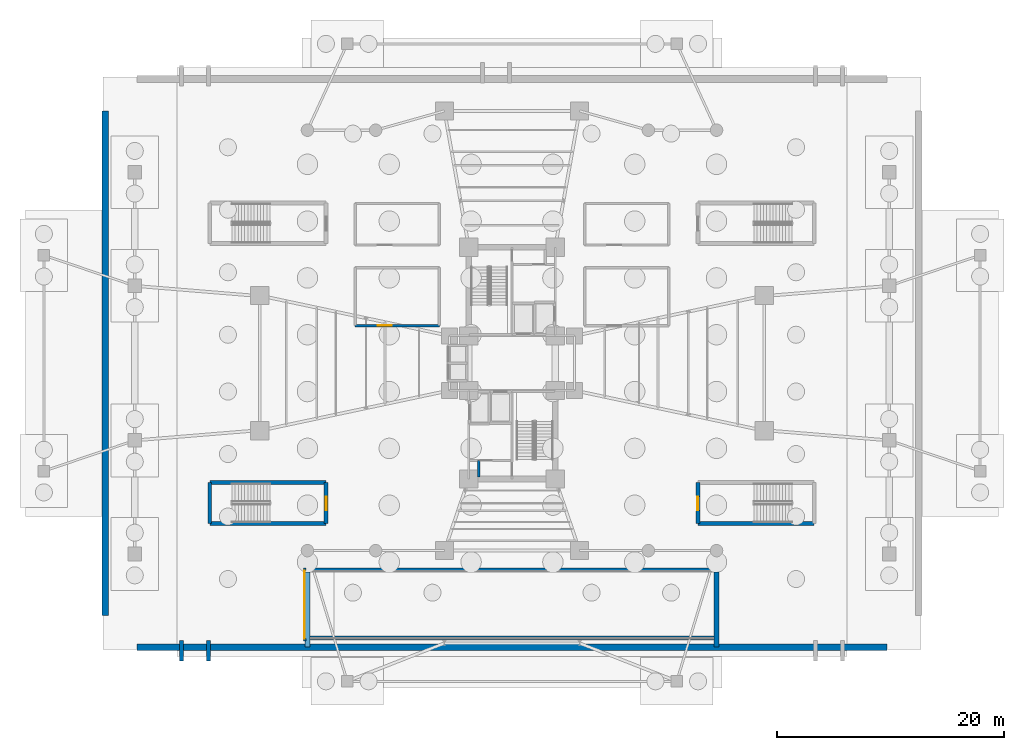
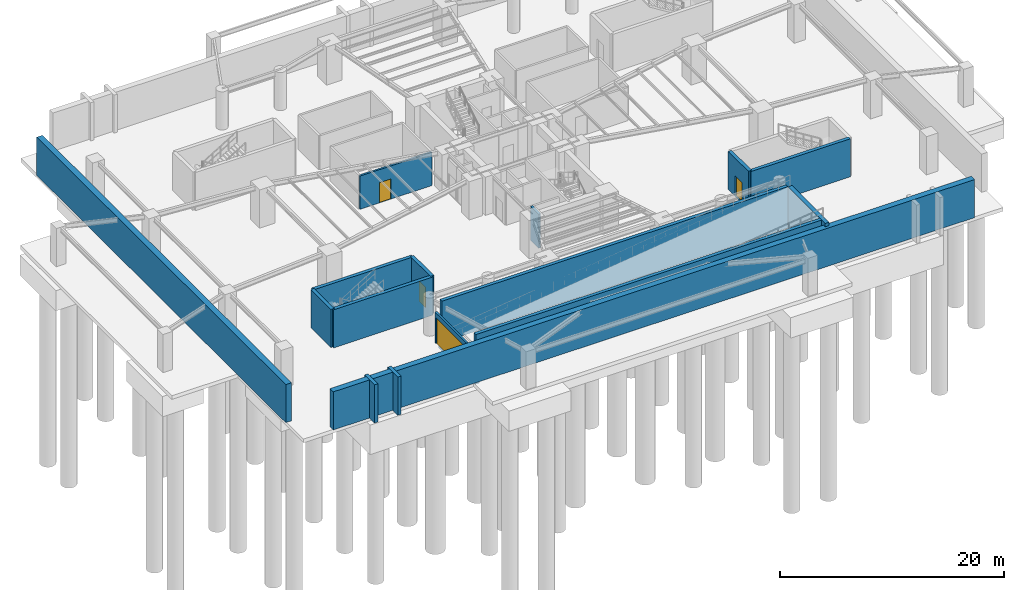
# One storey, part 7 of 15: 17 walls, 4 doors, 4 openings.
"""IFC4 building model written with IfcOpenShell, lengths in metres."""

from ifc_helpers import new_model, si_unit, direction, frame, frame_2d, origin, origin_2d, place, context, subcontext, project, spatial, rectangle, extrude, source, transform, mapped, material, layer, layer_set, type_object, element, fill, save


model = new_model("IFC4")

# Units and contexts
model_context = context("Model", 3, precision=1e-05, world=origin(), true_north=direction((0.0, 1.0)))
body_context = subcontext(model_context, "Body", "Model", "MODEL_VIEW")
ifc_project = project(units=[si_unit("LENGTHUNIT", "METRE"), si_unit("AREAUNIT", "SQUARE_METRE"), si_unit("VOLUMEUNIT", "CUBIC_METRE"), si_unit("PLANEANGLEUNIT", "RADIAN"), si_unit("MASSUNIT", "GRAM", prefix="KILO")], contexts=[model_context])

# Site, building, storey
site_placement = place(None, origin())
site = spatial("IfcSite", under=ifc_project, at=site_placement, CompositionType="ELEMENT")
building_placement = place(site_placement, origin())
building = spatial("IfcBuilding", under=site, at=building_placement, Name="Sahyath Konkavel Grand Hotel", CompositionType="ELEMENT")
storey_placement = place(building_placement, frame((0.0, 0.0, -9.0)))
storey = spatial("IfcBuildingStorey", under=building, at=storey_placement, Name="B2", CompositionType="ELEMENT", Elevation=-9.0)

# Walls
ifc_material_1 = material(Name="Concrete C50/60", Category="concrete")
ifc_layer_1 = layer(ifc_material_1, 0.60009765625)
ifc_layer_set_1 = layer_set([ifc_layer_1], Name="Concrete C50/60")
wall_type_1 = type_object("IfcWallType", Name="BWALL-600", PredefinedType="SOLIDWALL", material=ifc_layer_set_1)
wall_1_placement = place(storey_placement, frame((33.0, -25.0, 0.0), z_axis=(0.0, 0.0, 1.0), x_axis=(-1.0, 0.0, 0.0)))
element("IfcWall", 1, at=wall_1_placement, inside=storey, type_object=wall_type_1, Name="B2 Perimeter Retaining Wall S", PredefinedType="SOLIDWALL", context=body_context, shape_type="SweptSolid", body=[
    extrude(rectangle(XDim=66.0, YDim=0.60009765625, at=frame_2d((33.0, 0.0))), origin(), (0.0, 0.0, 1.0), 4.14990234375),
])
wall_2_placement = place(storey_placement, frame((-35.800048828125, 22.199951171875, 0.0), z_axis=(0.0, 0.0, 1.0), x_axis=(0.0, -1.0, 0.0)))
element("IfcWall", 2, at=wall_2_placement, inside=storey, type_object=wall_type_1, Name="B2 Perimeter Retaining Wall W", PredefinedType="SOLIDWALL", context=body_context, shape_type="SweptSolid", body=[
    extrude(rectangle(XDim=44.39990234375, YDim=0.60009765625, at=frame_2d((22.199951171875, 0.0))), origin(), (0.0, 0.0, 1.0), 4.14990234375),
])
ifc_material_2 = material(Name="Concrete C40/50", Category="concrete")
ifc_layer_2 = layer(ifc_material_2, 0.35009765625)
ifc_layer_set_2 = layer_set([ifc_layer_2], Name="Concrete C40/50")
wall_type_2 = type_object("IfcWallType", Name="CWALL-350", PredefinedType="SHEAR", material=ifc_layer_set_2)
for number, where, z_axis, x_axis, name in (
    (3, (-29.10009765625, -26.199951171875, 0.0), (0.0, 0.0, 1.0), (0.0, 1.0, 0.0), "B2 Pedestrian Ramp Bearing Wall PR3-A"),
    (4, (-26.699951171875, -26.199951171875, 0.0), (0.0, 0.0, 1.0), (0.0, 1.0, 0.0), "B2 Pedestrian Ramp Bearing Wall PR3-B"),
):
    element("IfcWall", number, at=place(storey_placement, frame(where, z_axis=z_axis, x_axis=x_axis)), inside=storey, type_object=wall_type_2, Name=name, PredefinedType="SHEAR", context=body_context, shape_type="SweptSolid", body=[
        extrude(rectangle(XDim=1.800048828125, YDim=0.35009765625, at=frame_2d((0.89990234375, 0.0))), origin(), (0.0, 0.0, 1.0), 4.14990234375),
    ])
for number, where, z_axis, x_axis, name in (
    (5, (-17.800048828125, -18.199951171875, 0.0), (0.0, 0.0, 1.0), (1.0, 0.0, 0.0), "Vehicle Ramp Side Support Wall N-B2"),
    (6, (-17.800048828125, -24.199951171875, 0.0), (0.0, 0.0, 1.0), (1.0, 0.0, 0.0), "Vehicle Ramp Side Support Wall S-B2"),
):
    element("IfcWall", number, at=place(storey_placement, frame(where, z_axis=z_axis, x_axis=x_axis)), inside=storey, type_object=wall_type_2, Name=name, PredefinedType="SHEAR", context=body_context, shape_type="SweptSolid", body=[
        extrude(rectangle(XDim=35.60009765625, YDim=0.35009765625, at=frame_2d((17.800048828125, 0.0))), origin(), (0.0, 0.0, 1.0), 4.5),
    ])
for number, where, z_axis, x_axis, name in (
    (7, (-26.60009765625, -10.52001953125, 0.0), (0.0, 0.0, 1.0), (1.0, 0.0, 0.0), "B2 Partition ST-P3-N"),
    (8, (-26.60009765625, -14.10009765625, 0.0), (0.0, 0.0, 1.0), (1.0, 0.0, 0.0), "B2 Partition ST-P3-S"),
):
    element("IfcWall", number, at=place(storey_placement, frame(where, z_axis=z_axis, x_axis=x_axis)), inside=storey, type_object=wall_type_2, Name=name, PredefinedType="SHEAR", context=body_context, shape_type="SweptSolid", body=[
        extrude(rectangle(XDim=10.25, YDim=0.35009765625, at=frame_2d((5.125, 0.0))), origin(), (0.0, 0.0, 1.0), 4.14990234375),
    ])
wall_3_placement = place(storey_placement, frame((-26.60009765625, -14.10009765625, 0.0), z_axis=(0.0, 0.0, 1.0), x_axis=(0.0, 1.0, 0.0)))
element("IfcWall", 9, at=wall_3_placement, inside=storey, type_object=wall_type_2, Name="B2 Partition ST-P3-W", PredefinedType="SHEAR", context=body_context, shape_type="SweptSolid", body=[
    extrude(rectangle(XDim=3.580078125, YDim=0.35009765625, at=frame_2d((1.7900390625, 0.0))), origin(), (0.0, 0.0, 1.0), 4.14990234375),
])

# Wall, opening, door
wall_4_placement = place(storey_placement, frame((-16.35009765625, -14.10009765625, 0.0), z_axis=(0.0, 0.0, 1.0), x_axis=(0.0, 1.0, 0.0)))
wall_4 = element("IfcWall", 10, at=wall_4_placement, inside=storey, type_object=wall_type_2, Name="B2 Partition ST-P3-E", PredefinedType="SHEAR", context=body_context, shape_type="SweptSolid", body=[
    extrude(rectangle(XDim=3.580078125, YDim=0.35009765625, at=frame_2d((1.7900390625, 0.0))), origin(), (0.0, 0.0, 1.0), 4.14990234375),
])
opening_1_placement = place(wall_4_placement, frame((1.14990234375, 0.0, 0.0)))
opening_1 = element("IfcOpeningElement", 11, at=opening_1_placement, cuts=wall_4, Name="Opening D-F12A", PredefinedType="OPENING", context=body_context, shape_type="SweptSolid", body=[
    extrude(rectangle(XDim=1.199951171875, YDim=2.199951171875, at=frame_2d((0.60009765625, 1.10009765625))), frame((0.0, 0.18505859375, 0.0), z_axis=(0.0, -1.0, 0.0), x_axis=(1.0, 0.0, 0.0)), (0.0, 0.0, 1.0), 0.3701171875),
])
ifc_material_3 = material(Name="Steel E350 Fire Door", Category="steel")
door_type_1 = type_object("IfcDoorType", Name="DR-FD120-1200", OperationType="NOTDEFINED", PredefinedType="DOOR", material=ifc_material_3)
shared_shape_1 = source(origin(), body_context, "Body", "SweptSolid", [
    extrude(rectangle(XDim=1.199951171875, YDim=0.050048828125, at=origin_2d()), origin(), (0.0, 0.0, 1.0), 2.199951171875),
])
door_1_placement = place(opening_1_placement, frame((0.60009765625, 0.0, 0.0)))
door_1 = element("IfcDoor", 12, at=door_1_placement, inside=storey, type_object=door_type_1, Name="B2 ST-P3 Fire Door", OperationType="SINGLE_SWING_RIGHT", OverallHeight=2.199951171875, OverallWidth=1.199951171875, PredefinedType="DOOR", context=body_context, shape_type="MappedRepresentation", body=[
    mapped(shared_shape_1, transform((0.0, 0.0, 0.0), scale=1.0)),
])
fill(opening_1, door_1)

# Wall
wall_5_placement = place(storey_placement, frame((16.35009765625, -14.10009765625, 0.0), z_axis=(0.0, 0.0, 1.0), x_axis=(1.0, 0.0, 0.0)))
element("IfcWall", 13, at=wall_5_placement, inside=storey, type_object=wall_type_2, Name="B2 Partition ST-P4-S", PredefinedType="SHEAR", context=body_context, shape_type="SweptSolid", body=[
    extrude(rectangle(XDim=10.25, YDim=0.35009765625, at=frame_2d((5.125, 0.0))), origin(), (0.0, 0.0, 1.0), 4.14990234375),
])

# Wall, opening, door
wall_6_placement = place(storey_placement, frame((16.35009765625, -14.10009765625, 0.0), z_axis=(0.0, 0.0, 1.0), x_axis=(0.0, 1.0, 0.0)))
wall_6 = element("IfcWall", 14, at=wall_6_placement, inside=storey, type_object=wall_type_2, Name="B2 Partition ST-P4-W", PredefinedType="SHEAR", context=body_context, shape_type="SweptSolid", body=[
    extrude(rectangle(XDim=3.580078125, YDim=0.35009765625, at=frame_2d((1.7900390625, 0.0))), origin(), (0.0, 0.0, 1.0), 4.14990234375),
])
opening_2_placement = place(wall_6_placement, frame((1.14990234375, 0.0, 0.0)))
opening_2 = element("IfcOpeningElement", 15, at=opening_2_placement, cuts=wall_6, Name="Opening D-F12A", PredefinedType="OPENING", context=body_context, shape_type="SweptSolid", body=[
    extrude(rectangle(XDim=1.199951171875, YDim=2.199951171875, at=frame_2d((0.60009765625, 1.10009765625))), frame((0.0, 0.18505859375, 0.0), z_axis=(0.0, -1.0, 0.0), x_axis=(1.0, 0.0, 0.0)), (0.0, 0.0, 1.0), 0.3701171875),
])
door_2_placement = place(opening_2_placement, frame((0.60009765625, 0.0, 0.0)))
door_2 = element("IfcDoor", 16, at=door_2_placement, inside=storey, type_object=door_type_1, Name="B2 ST-P4 Fire Door", OperationType="SINGLE_SWING_LEFT", OverallHeight=2.199951171875, OverallWidth=1.199951171875, PredefinedType="DOOR", context=body_context, shape_type="MappedRepresentation", body=[
    mapped(shared_shape_1, transform((0.0, 0.0, 0.0), scale=1.0)),
])
fill(opening_2, door_2)

# Walls
ifc_layer_3 = layer(ifc_material_1, 0.419921875)
ifc_layer_set_3 = layer_set([ifc_layer_3], Name="Concrete C50/60")
wall_type_3 = type_object("IfcWallType", Name="CWALL-420", PredefinedType="SHEAR", material=ifc_layer_set_3)
wall_7_placement = place(storey_placement, frame((-18.0, -25.0, -0.39990234375), z_axis=(0.0, 0.0, 1.0), x_axis=(0.0, 1.0, 0.0)))
element("IfcWall", 17, at=wall_7_placement, inside=storey, type_object=wall_type_3, Name="Vehicle Ramp Bearing Wall VR-B2-BOT", PredefinedType="SHEAR", context=body_context, shape_type="SweptSolid", body=[
    extrude(rectangle(XDim=6.60009765625, YDim=0.419921875, at=frame_2d((3.300048828125, 0.0))), origin(), (0.0, 0.0, 1.0), 0.39990234375),
])
wall_8_placement = place(storey_placement, frame((18.0, -25.0, 0.0), z_axis=(0.0, 0.0, 1.0), x_axis=(0.0, 1.0, 0.0)))
element("IfcWall", 18, at=wall_8_placement, inside=storey, type_object=wall_type_3, Name="Vehicle Ramp Bearing Wall VR-B1-MID", PredefinedType="SHEAR", context=body_context, shape_type="SweptSolid", body=[
    extrude(rectangle(XDim=6.60009765625, YDim=0.419921875, at=frame_2d((3.300048828125, 0.0))), origin(), (0.0, 0.0, 1.0), 4.5),
])
ifc_layer_4 = layer(ifc_material_2, 0.199951171875)
ifc_layer_set_4 = layer_set([ifc_layer_4], Name="Concrete C40/50")
wall_type_4 = type_object("IfcWallType", Name="WLL-CORE-200", PredefinedType="SOLIDWALL", material=ifc_layer_set_4)
wall_9_placement = place(storey_placement, frame((-2.919921875, -10.0, 0.0), z_axis=(0.0, 0.0, 1.0), x_axis=(0.0, 1.0, 0.0)))
element("IfcWall", 19, at=wall_9_placement, inside=storey, type_object=wall_type_4, Name="B2 Partition SFF-W2", PredefinedType="SOLIDWALL", context=body_context, shape_type="SweptSolid", body=[
    extrude(rectangle(XDim=1.43994140625, YDim=0.199951171875, at=frame_2d((0.719970703125, 0.0))), origin(), (0.0, 0.0, 1.0), 3.699951171875),
])

# Wall, opening, door
wall_10_placement = place(storey_placement, frame((-18.25, -24.449951171875, 0.0), z_axis=(0.0, 0.0, 1.0), x_axis=(0.0, 1.0, 0.0)))
wall_10 = element("IfcWall", 20, at=wall_10_placement, inside=storey, type_object=wall_type_4, Name="B2 Car Park Vehicle Ramp Portal Wall", PredefinedType="SOLIDWALL", context=body_context, shape_type="SweptSolid", body=[
    extrude(rectangle(XDim=6.39990234375, YDim=0.199951171875, at=frame_2d((3.199951171875, 0.0))), origin(), (0.0, 0.0, 1.0), 3.320068359375),
])
opening_3_placement = place(wall_10_placement, frame((0.199951171875, 0.0, 0.0)))
opening_3 = element("IfcOpeningElement", 21, at=opening_3_placement, cuts=wall_10, Name="Opening D-VS60", PredefinedType="OPENING", context=body_context, shape_type="SweptSolid", body=[
    extrude(rectangle(XDim=6.0, YDim=2.800048828125, at=frame_2d((3.0, 1.39990234375))), frame((0.0, 0.10986328125, 0.0), z_axis=(0.0, -1.0, 0.0), x_axis=(1.0, 0.0, 0.0)), (0.0, 0.0, 1.0), 0.219970703125),
])
ifc_material_4 = material(Name="Steel E350", Category="steel")
door_type_2 = type_object("IfcDoorType", Name="DR-VEH-SHUTTER", OperationType="ROLLINGUP", PredefinedType="DOOR", material=ifc_material_4)
shared_shape_2 = source(origin(), body_context, "Body", "SweptSolid", [
    extrude(rectangle(XDim=6.0, YDim=0.050048828125, at=origin_2d()), origin(), (0.0, 0.0, 1.0), 2.800048828125),
])
door_3_placement = place(opening_3_placement, frame((3.0, 0.0, 0.0)))
door_3 = element("IfcDoor", 22, at=door_3_placement, inside=storey, type_object=door_type_2, Name="B2 Car Park Vehicle Entry Roller Shutter Door", OperationType="ROLLINGUP", OverallHeight=2.800048828125, OverallWidth=6.0, PredefinedType="DOOR", context=body_context, shape_type="MappedRepresentation", body=[
    mapped(shared_shape_2, transform((0.0, 0.0, 0.0), scale=1.0)),
])
fill(opening_3, door_3)

wall_11_placement = place(storey_placement, frame((-13.800048828125, 3.300048828125, 0.0), z_axis=(0.0, 0.0, 1.0), x_axis=(1.0, 0.0, 0.0)))
wall_11 = element("IfcWall", 23, at=wall_11_placement, inside=storey, type_object=wall_type_4, Name="B2 Partition B2-FWT-S", PredefinedType="SOLIDWALL", context=body_context, shape_type="SweptSolid", body=[
    extrude(rectangle(XDim=7.400146484375, YDim=0.199951171875, at=frame_2d((3.7001953125, 0.0))), origin(), (0.0, 0.0, 1.0), 3.6201171875),
])
opening_4_placement = place(wall_11_placement, frame((2.0, 0.0, 0.0)))
opening_4 = element("IfcOpeningElement", 24, at=opening_4_placement, cuts=wall_11, Name="Opening D-F12A", PredefinedType="OPENING", context=body_context, shape_type="SweptSolid", body=[
    extrude(rectangle(XDim=1.199951171875, YDim=2.199951171875, at=frame_2d((0.60009765625, 1.10009765625))), frame((0.0, 0.10986328125, 0.0), z_axis=(0.0, -1.0, 0.0), x_axis=(1.0, 0.0, 0.0)), (0.0, 0.0, 1.0), 0.219970703125),
])
door_4_placement = place(opening_4_placement, frame((0.60009765625, 0.0, 0.0)))
door_4 = element("IfcDoor", 25, at=door_4_placement, inside=storey, type_object=door_type_1, Name="B2 Door B2-FWT-D", OperationType="SINGLE_SWING_RIGHT", OverallHeight=2.199951171875, OverallWidth=1.199951171875, PredefinedType="DOOR", context=body_context, shape_type="MappedRepresentation", body=[
    mapped(shared_shape_1, transform((0.0, 0.0, 0.0), scale=1.0)),
])
fill(opening_4, door_4)

save(model, "model.ifc")
